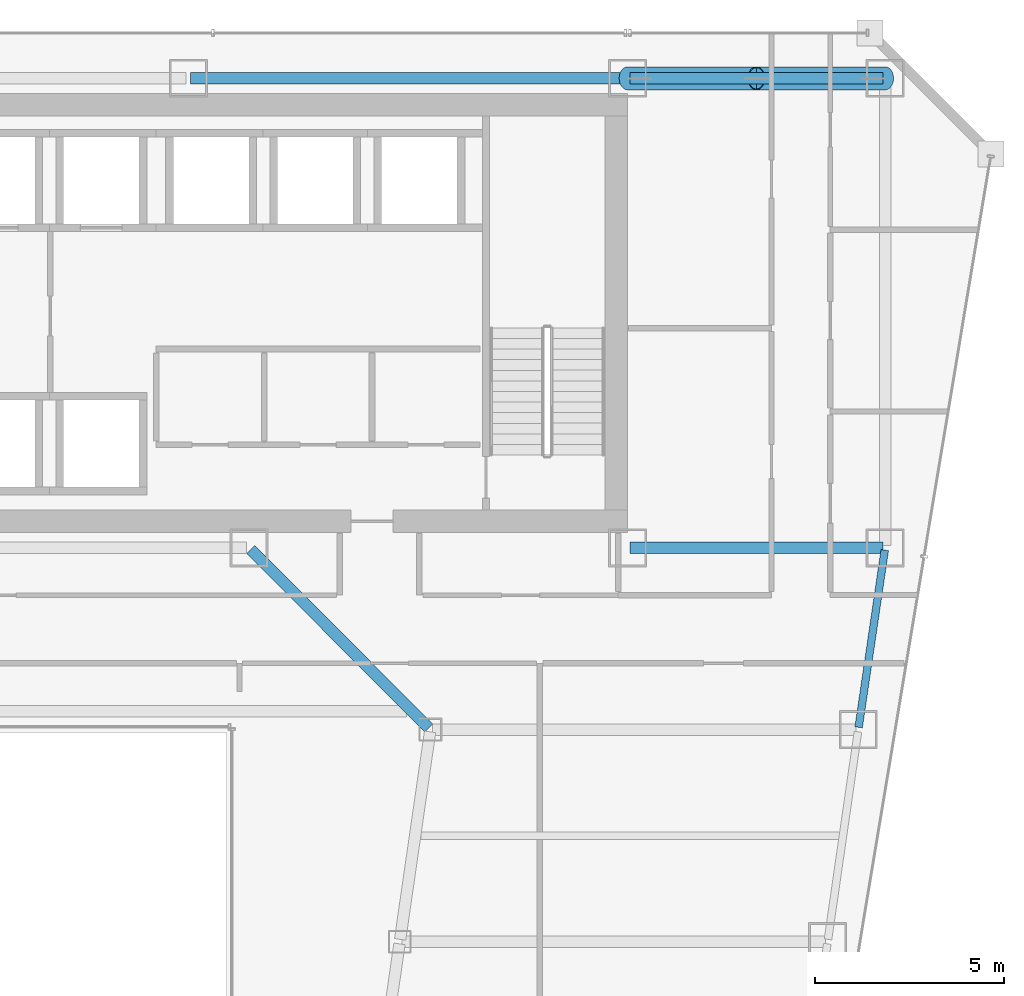
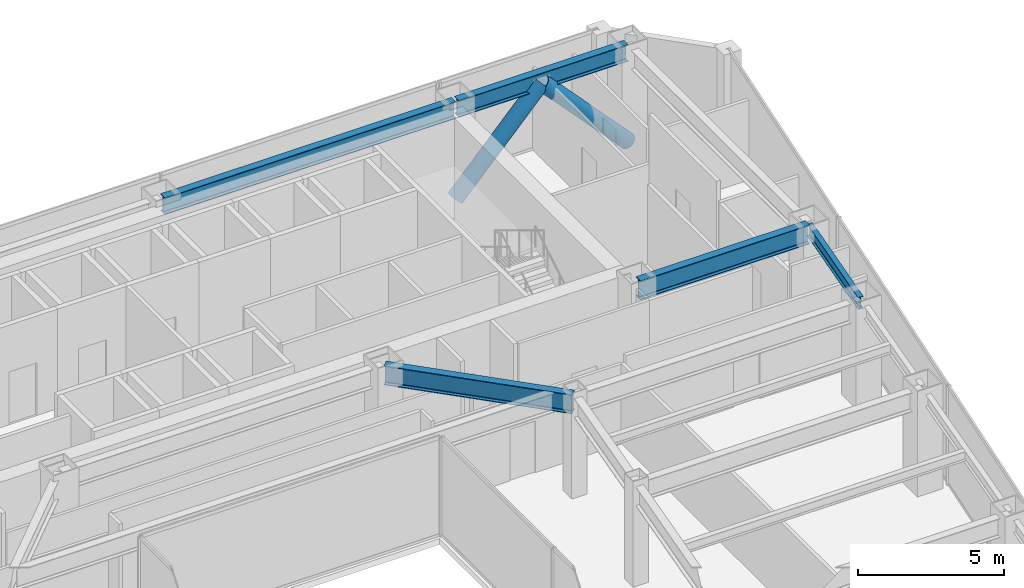
# One storey, part 26 of 37: 5 beams, 2 members.
"""IFC4 building model written with IfcOpenShell, lengths in metres."""

from ifc_helpers import new_model, si_unit, direction, frame, origin, origin_2d, place, context, subcontext, project, spatial, hollow_circle, i_section, extrude, material, material_profile, profile_set, type_object, element, save


model = new_model("IFC4")

# Units and contexts
model_context = context("Model", 3, precision=1e-05, world=origin(), true_north=direction((0.0, 1.0)))
body_context = subcontext(model_context, "Body", "Model", "MODEL_VIEW")
ifc_project = project(units=[si_unit("LENGTHUNIT", "METRE"), si_unit("AREAUNIT", "SQUARE_METRE"), si_unit("VOLUMEUNIT", "CUBIC_METRE"), si_unit("PLANEANGLEUNIT", "RADIAN"), si_unit("MASSUNIT", "GRAM", prefix="KILO")], contexts=[model_context])

# Site, building, storey
site_placement = place(None, origin())
site = spatial("IfcSite", under=ifc_project, at=site_placement, CompositionType="ELEMENT")
building_placement = place(site_placement, origin())
building = spatial("IfcBuilding", under=site, at=building_placement, Name="Saevonmaru Cultural Tower", CompositionType="ELEMENT")
storey_placement = place(building_placement, frame((0.0, 0.0, 106.0)))
storey = spatial("IfcBuildingStorey", under=building, at=storey_placement, Name="L22", CompositionType="ELEMENT", Elevation=106.0)

# Beams
ifc_material_1 = material(Name="Steel SM420", Category="steel")
ifc_material_profile_1 = material_profile(ifc_material_1, i_section(OverallWidth=0.300048828125, OverallDepth=0.800048828125, WebThickness=0.013916015625, FlangeThickness=0.02587890625, FilletRadius=0.028076171875, at=origin_2d()), Name="H-800x300x14x26")
ifc_profile_set_1 = profile_set([ifc_material_profile_1], Name="Steel SM420")
beam_type_1 = type_object("IfcBeamType", Name="BM-G-H800", PredefinedType="BEAM", material=ifc_profile_set_1)
beam_1_placement = place(storey_placement, frame((46.4599609375, 42.39990234375, 3.75), z_axis=(1.0, 0.0, 0.0), x_axis=(0.0, 1.0, 0.0)))
element("IfcBeam", 1, at=beam_1_placement, inside=storey, type_object=beam_type_1, Name="L22 Core South Girder 5", PredefinedType="BEAM", context=body_context, shape_type="SweptSolid", body=[
    extrude(i_section(OverallWidth=0.300048828125, OverallDepth=0.800048828125, WebThickness=0.013916015625, FlangeThickness=0.02587890625, FilletRadius=0.028076171875, at=origin_2d()), origin(), (0.0, 0.0, 1.0), 6.679931640625),
])
beam_2_placement = place(storey_placement, frame((41.149658203125, 37.642578125, 3.75), z_axis=(-0.706538566564, 0.707674539572, 0.0), x_axis=(-0.707674539572, -0.706538566564, 0.0)))
element("IfcBeam", 2, at=beam_2_placement, inside=storey, type_object=beam_type_1, Name="L22 East Atrium Girder 5", PredefinedType="BEAM", context=body_context, shape_type="SweptSolid", body=[
    extrude(i_section(OverallWidth=0.300048828125, OverallDepth=0.800048828125, WebThickness=0.013916015625, FlangeThickness=0.02587890625, FilletRadius=0.028076171875, at=origin_2d()), origin(), (0.0, 0.0, 1.0), 6.662353515625),
])
ifc_material_2 = material(Name="Steel SM355", Category="steel")
ifc_material_profile_2 = material_profile(ifc_material_2, i_section(OverallWidth=0.199951171875, OverallDepth=0.5, WebThickness=0.010009765625, FlangeThickness=0.01611328125, FilletRadius=0.02001953125, at=origin_2d()), Name="H-500x200x10x16")
ifc_profile_set_2 = profile_set([ifc_material_profile_2], Name="Steel SM355")
beam_type_2 = type_object("IfcBeamType", Name="BM-SP-H500", PredefinedType="SPANDREL", material=ifc_profile_set_2)
beam_3_placement = place(storey_placement, frame((52.500732421875, 37.659423828125, 3.89990234375), z_axis=(0.145912860028, 0.989297446312, 0.0), x_axis=(-0.989297446312, 0.145912860028, 0.0)))
element("IfcBeam", 3, at=beam_3_placement, inside=storey, type_object=beam_type_2, Name="L22 East Splayed Spandrel 5", PredefinedType="SPANDREL", context=body_context, shape_type="SweptSolid", body=[
    extrude(i_section(OverallWidth=0.199951171875, OverallDepth=0.5, WebThickness=0.010009765625, FlangeThickness=0.01611328125, FilletRadius=0.02001953125, at=origin_2d()), origin(), (0.0, 0.0, 1.0), 4.731689453125),
])
ifc_material_profile_3 = material_profile(ifc_material_2, i_section(OverallWidth=0.300048828125, OverallDepth=0.699951171875, WebThickness=0.012939453125, FlangeThickness=0.02392578125, FilletRadius=0.02587890625, at=origin_2d()), Name="H-700x300x13x24")
ifc_profile_set_3 = profile_set([ifc_material_profile_3], Name="Steel SM355")
beam_type_3 = type_object("IfcBeamType", Name="BM-SP-H700", PredefinedType="SPANDREL", material=ifc_profile_set_3)
beam_4_placement = place(storey_placement, frame((34.860107421875, 54.800048828125, 3.800048828125), z_axis=(1.0, 0.0, 0.0), x_axis=(0.0, 1.0, 0.0)))
element("IfcBeam", 4, at=beam_4_placement, inside=storey, type_object=beam_type_3, Name="L22 North Spine Girder 4", PredefinedType="SPANDREL", context=body_context, shape_type="SweptSolid", body=[
    extrude(i_section(OverallWidth=0.300048828125, OverallDepth=0.699951171875, WebThickness=0.012939453125, FlangeThickness=0.02392578125, FilletRadius=0.02587890625, at=origin_2d()), origin(), (0.0, 0.0, 1.0), 11.47998046875),
])
beam_5_placement = place(storey_placement, frame((46.4599609375, 54.800048828125, 3.800048828125), z_axis=(1.0, 0.0, 0.0), x_axis=(0.0, 1.0, 0.0)))
element("IfcBeam", 5, at=beam_5_placement, inside=storey, type_object=beam_type_3, Name="L22 North Spine Girder 5", PredefinedType="SPANDREL", context=body_context, shape_type="SweptSolid", body=[
    extrude(i_section(OverallWidth=0.300048828125, OverallDepth=0.699951171875, WebThickness=0.012939453125, FlangeThickness=0.02392578125, FilletRadius=0.02587890625, at=origin_2d()), origin(), (0.0, 0.0, 1.0), 6.679931640625),
])

# Members
ifc_material_3 = material(Name="Steel HSA600 (600 MPa)", Category="steel")
ifc_material_profile_4 = material_profile(ifc_material_3, hollow_circle(Radius=0.3046875, WallThickness=0.02490234375, at=origin_2d()), Name="CHS-609.6x25")
ifc_profile_set_4 = profile_set([ifc_material_profile_4], Name="Steel HSA600 (600 MPa)")
member_type = type_object("IfcMemberType", Name="MB-PBR-CHS610", PredefinedType="BRACE", material=ifc_profile_set_4)
member_1_placement = place(storey_placement, frame((46.39990234375, 54.800048828125, 0.02001953125), z_axis=(0.681629141635, 0.0, 0.731697829212), x_axis=(0.0, 1.0, 0.0)))
element("IfcMember", 6, at=member_1_placement, inside=storey, type_object=member_type, Name="L22 Perimeter Braced-Tube Diagonal EN1", PredefinedType="BRACE", context=body_context, shape_type="SweptSolid", body=[
    extrude(hollow_circle(Radius=0.3046875, WallThickness=0.02490234375, at=origin_2d()), origin(), (0.0, 0.0, 1.0), 4.98828125),
])
member_2_placement = place(storey_placement, frame((53.199951171875, 54.800048828125, 0.02001953125), z_axis=(-0.681602937137, 0.0, 0.73172223971), x_axis=(0.0, -1.0, 0.0)))
element("IfcMember", 7, at=member_2_placement, inside=storey, type_object=member_type, Name="L22 Perimeter Braced-Tube Diagonal EN2", PredefinedType="BRACE", context=body_context, shape_type="SweptSolid", body=[
    extrude(hollow_circle(Radius=0.3046875, WallThickness=0.02490234375, at=origin_2d()), origin(), (0.0, 0.0, 1.0), 4.988037109375),
])

save(model, "model.ifc")
